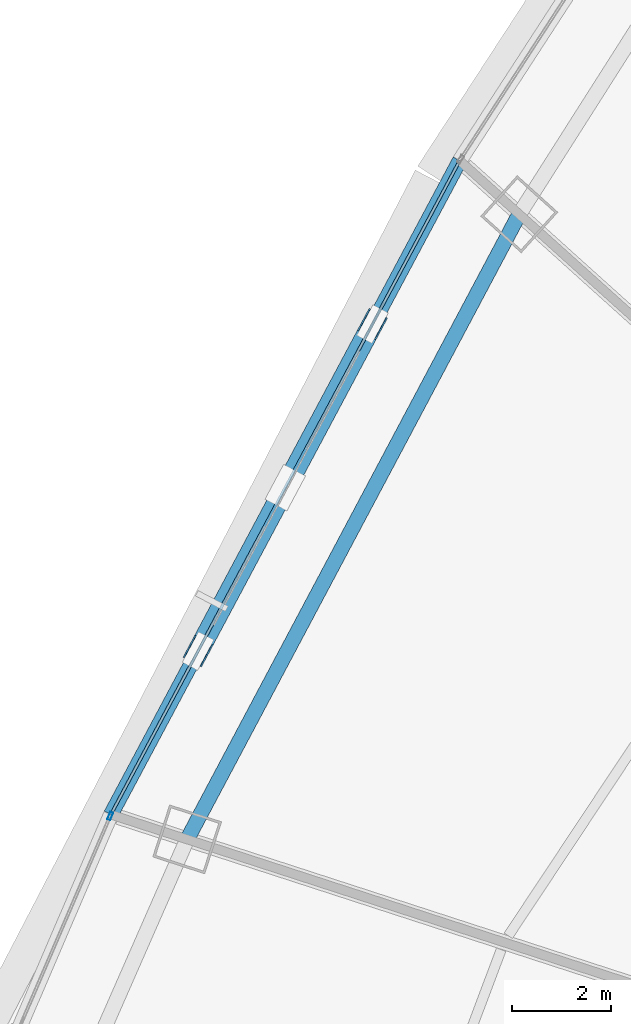
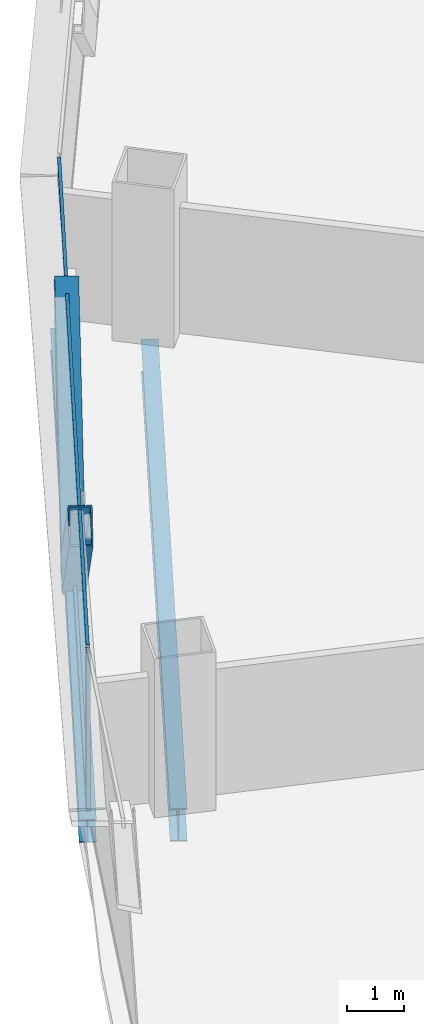
# One storey, part 14 of 42: 5 members, 2 beams, 2 elements without a shape of their own.
"""IFC4 building model written with IfcOpenShell, lengths in metres."""

from ifc_helpers import new_model, si_unit, direction, frame, origin, origin_2d, place, context, subcontext, project, spatial, hollow_rectangle, i_section, extrude, source, transform, mapped, material, layer, layer_set, material_profile, profile_set, type_object, element, aggregate, save


model = new_model("IFC4")

# Units and contexts
model_context = context("Model", 3, precision=1e-05, world=origin(), true_north=direction((0.0, 1.0)))
body_context = subcontext(model_context, "Body", "Model", "MODEL_VIEW")
ifc_project = project(units=[si_unit("LENGTHUNIT", "METRE"), si_unit("AREAUNIT", "SQUARE_METRE"), si_unit("VOLUMEUNIT", "CUBIC_METRE"), si_unit("PLANEANGLEUNIT", "RADIAN"), si_unit("MASSUNIT", "GRAM", prefix="KILO"), si_unit("THERMODYNAMICTEMPERATUREUNIT", "KELVIN"), si_unit("POWERUNIT", "WATT")], contexts=[model_context])

# Site, building, storey
site_placement = place(None, origin())
site = spatial("IfcSite", under=ifc_project, at=site_placement, CompositionType="ELEMENT")
building_placement = place(site_placement, origin())
building = spatial("IfcBuilding", under=site, at=building_placement, Name="Yunzhuo Pagoda Commons", CompositionType="ELEMENT")
storey_placement = place(building_placement, frame((0.0, 0.0, 41.2900390625)))
storey = spatial("IfcBuildingStorey", under=building, at=storey_placement, Name="L10", CompositionType="ELEMENT", Elevation=41.2900390625)

# Beams
ifc_material_1 = material(Name="Structural steel Q355B", Category="steel")
ifc_material_profile_1 = material_profile(ifc_material_1, i_section(OverallWidth=0.300048828125, OverallDepth=0.699951171875, WebThickness=0.012939453125, FlangeThickness=0.02392578125, at=origin_2d()), Name="Structural steel Q355B")
ifc_profile_set_1 = profile_set([ifc_material_profile_1], Name="Structural steel Q355B")
beam_type_1 = type_object("IfcBeamType", Name="B-RG1 Beam HN 700x300x13x24", PredefinedType="BEAM", material=ifc_profile_set_1)
shared_shape_1 = source(origin(), body_context, "Body", "SweptSolid", [
    extrude(i_section(OverallWidth=0.300048828125, OverallDepth=0.699951171875, WebThickness=0.012939453125, FlangeThickness=0.02392578125, at=origin_2d()), origin(), (0.0, 0.0, 1.0), 14.25390625),
])
beam_1_placement = place(storey_placement, frame((22.351318359375, 56.79443359375, -0.610107421875), z_axis=(-0.469118073628, -0.883135455633, 0.0), x_axis=(0.883135455633, -0.469118073628, 0.0)))
element("IfcBeam", 1, at=beam_1_placement, inside=storey, type_object=beam_type_1, Name="L10 column-ring beam 10", PredefinedType="BEAM", context=body_context, shape_type="MappedRepresentation", body=[
    mapped(shared_shape_1, transform((0.0, 0.0, 0.0), scale=1.0)),
])
ifc_material_profile_2 = material_profile(ifc_material_1, i_section(OverallWidth=0.300048828125, OverallDepth=0.488037109375, WebThickness=0.010986328125, FlangeThickness=0.01806640625, at=origin_2d()), Name="Structural steel Q355B")
ifc_profile_set_2 = profile_set([ifc_material_profile_2], Name="Structural steel Q355B")
beam_type_2 = type_object("IfcBeamType", Name="B-SP1 Beam HM 488x300x11x18", PredefinedType="BEAM", material=ifc_profile_set_2)
shared_shape_2 = source(origin(), body_context, "Body", "SweptSolid", [
    extrude(i_section(OverallWidth=0.300048828125, OverallDepth=0.488037109375, WebThickness=0.010986328125, FlangeThickness=0.01806640625, at=origin_2d()), origin(), (0.0, 0.0, 1.0), 14.924072265625),
])
beam_2_placement = place(storey_placement, frame((21.152587890625, 57.873291015625, -0.504150390625), z_axis=(-0.470660405107, -0.882314446819, 0.0), x_axis=(0.882314446819, -0.470660405107, 0.0)))
element("IfcBeam", 2, at=beam_2_placement, inside=storey, type_object=beam_type_2, Name="L10 facade edge spandrel beam F3.2", PredefinedType="BEAM", context=body_context, shape_type="MappedRepresentation", body=[
    mapped(shared_shape_2, transform((0.0, 0.0, 0.0), scale=1.0)),
])

# Members
ifc_material_2 = material(Name="Structural steel Q420B", Category="steel")
ifc_material_profile_3 = material_profile(ifc_material_2, hollow_rectangle(XDim=0.419921875, YDim=0.719970703125, WallThickness=0.028076171875, at=origin_2d()), Name="Structural steel Q420B")
ifc_profile_set_3 = profile_set([ifc_material_profile_3], Name="Structural steel Q420B")
member_type_1 = type_object("IfcMemberType", Name="M-DL1 Brace BOX 720x420x28", PredefinedType="BRACE", material=ifc_profile_set_3)
shared_shape_3 = source(origin(), body_context, "Body", "SweptSolid", [
    extrude(hollow_rectangle(XDim=0.419921875, YDim=0.719970703125, WallThickness=0.028076171875, at=origin_2d()), origin(), (0.0, 0.0, 1.0), 5.205322265625),
])
for number, where, z_axis, x_axis, name in (
    (3, (17.640380859375, 51.28955078125, -0.260009765625), (0.337365831354, 0.632379188676, 0.697338409644), (-0.882296780726, 0.470693521009, 0.0), "L10 facade diamond brace F3.2L"),
    (4, (17.640380859375, 51.28955078125, -0.260009765625), (-0.337272695534, -0.632427343426, 0.697339791016), (0.882365620879, -0.470564460081, 0.0), "L10 facade diamond brace F3.2R"),
):
    element("IfcMember", number, at=place(storey_placement, frame(where, z_axis=z_axis, x_axis=x_axis)), inside=storey, type_object=member_type_1, Name=name, PredefinedType="BRACE", context=body_context, shape_type="MappedRepresentation", body=[
        mapped(shared_shape_3, transform((0.0, 0.0, 0.0), scale=1.0)),
    ])

# Curtain wall, member
ifc_material_3 = material(Name="Anodized aluminium 6063-T6", Category="aluminium")
ifc_layer = layer(ifc_material_3, 0.1650390625)
ifc_layer_set = layer_set([ifc_layer], Name="Anodized aluminium 6063-T6")
curtain_wall_type = type_object("IfcCurtainWallType", Name="CW-LOW Low-Zone Ribbon Curtain Wall", PredefinedType="NOTDEFINED", material=ifc_layer_set)
curtain_wall_1_placement = place(storey_placement, origin())
curtain_wall_1 = element("IfcCurtainWall", 5, at=curtain_wall_1_placement, inside=storey, type_object=curtain_wall_type, Name="L10 curtain wall CW-L10-F3B4", PredefinedType="NOTDEFINED")
ifc_material_profile_4 = material_profile(ifc_material_3, hollow_rectangle(XDim=0.06494140625, YDim=0.1650390625, WallThickness=0.00390625, at=origin_2d()), Name="Anodized aluminium 6063-T6")
ifc_profile_set_4 = profile_set([ifc_material_profile_4], Name="Anodized aluminium 6063-T6")
member_type_2 = type_object("IfcMemberType", Name="CW-LOW-M Mullion RHS 165x65x4", PredefinedType="MULLION", material=ifc_profile_set_4)
shared_shape_4 = source(origin(), body_context, "Body", "SweptSolid", [
    extrude(hollow_rectangle(XDim=0.06494140625, YDim=0.1650390625, WallThickness=0.00390625, at=origin_2d()), origin(), (0.0, 0.0, 1.0), 3.369873046875),
])
member_1_placement = place(storey_placement, frame((14.11572265625, 44.67578125, 0.0), z_axis=(0.0, 0.0, 1.0), x_axis=(0.918865619656, -0.394570618538, 0.0)))
member_1 = element("IfcMember", 6, at=member_1_placement, type_object=member_type_2, Name="CW mullion 1", PredefinedType="MULLION", context=body_context, shape_type="MappedRepresentation", body=[
    mapped(shared_shape_4, transform((0.0, 0.0, 0.0), scale=1.0)),
])
aggregate(curtain_wall_1, [member_1])

# Curtain wall, members
curtain_wall_2_placement = place(storey_placement, origin())
curtain_wall_2 = element("IfcCurtainWall", 7, at=curtain_wall_2_placement, inside=storey, type_object=curtain_wall_type, Name="L10 curtain wall CW-L10-F3B3", PredefinedType="NOTDEFINED")
ifc_material_profile_5 = material_profile(ifc_material_3, hollow_rectangle(XDim=0.06005859375, YDim=0.139892578125, WallThickness=0.00341796875, at=origin_2d()), Name="Anodized aluminium 6063-T6")
ifc_profile_set_5 = profile_set([ifc_material_profile_5], Name="Anodized aluminium 6063-T6")
member_type_3 = type_object("IfcMemberType", Name="CW-LOW-T Transom RHS 140x60x3.5", PredefinedType="USERDEFINED", material=ifc_profile_set_5)
shared_shape_5 = source(origin(), body_context, "Body", "SweptSolid", [
    extrude(hollow_rectangle(XDim=0.06005859375, YDim=0.139892578125, WallThickness=0.00341796875, at=origin_2d()), origin(), (0.0, 0.0, 1.0), 14.7939453125),
])
member_2_placement = place(storey_placement, frame((21.1220703125, 57.816162109375, 0.030029296875), z_axis=(-0.470656757161, -0.882316392763, 0.0), x_axis=(0.882316392763, -0.470656757161, 0.0)))
member_2 = element("IfcMember", 8, at=member_2_placement, type_object=member_type_3, Name="CW transom 1.1", ObjectType="TRANSOM", PredefinedType="USERDEFINED", context=body_context, shape_type="MappedRepresentation", body=[
    mapped(shared_shape_5, transform((0.0, 0.0, 0.0), scale=1.0)),
])
member_3_placement = place(storey_placement, frame((21.1220703125, 57.816162109375, 3.33984375), z_axis=(-0.470656757161, -0.882316392763, 0.0), x_axis=(0.882316392763, -0.470656757161, 0.0)))
member_3 = element("IfcMember", 9, at=member_3_placement, type_object=member_type_3, Name="CW transom 1.2", ObjectType="TRANSOM", PredefinedType="USERDEFINED", context=body_context, shape_type="MappedRepresentation", body=[
    mapped(shared_shape_5, transform((0.0, 0.0, 0.0), scale=1.0)),
])
aggregate(curtain_wall_2, [member_2, member_3])

save(model, "model.ifc")
